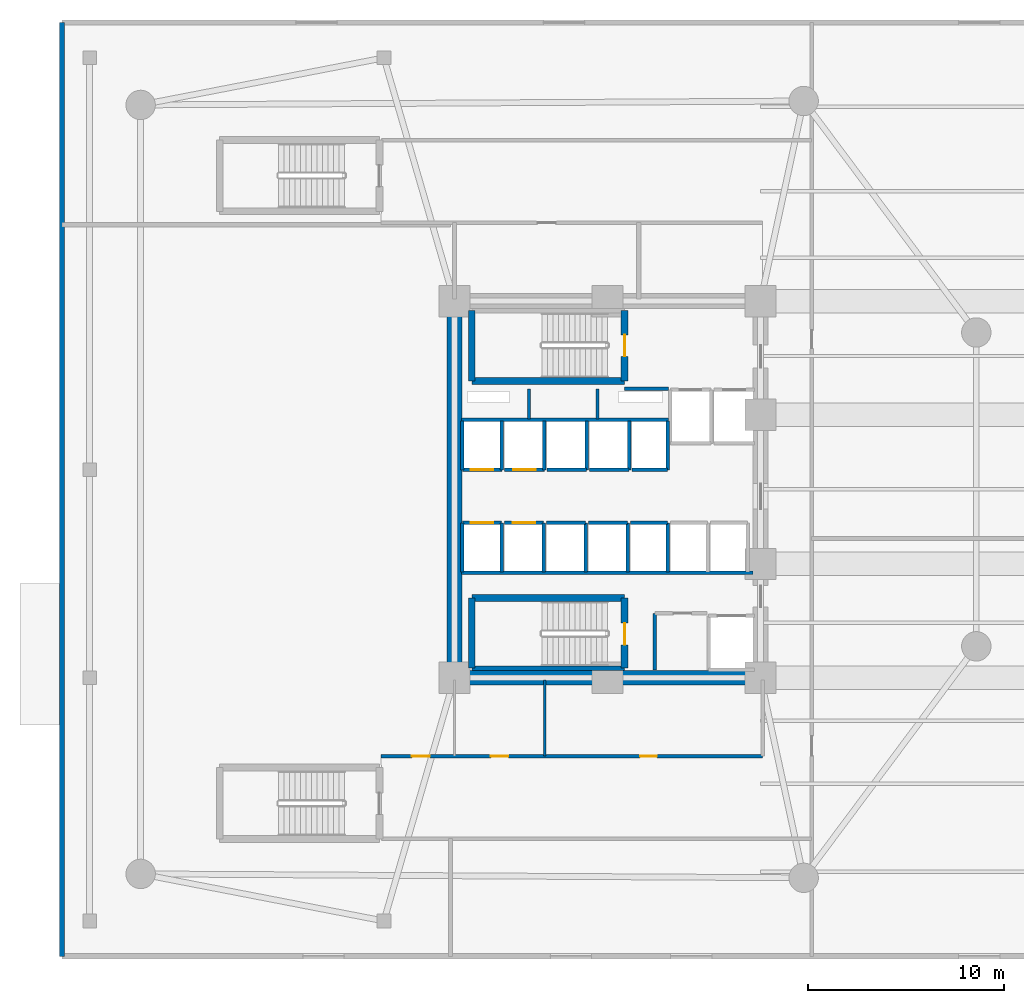
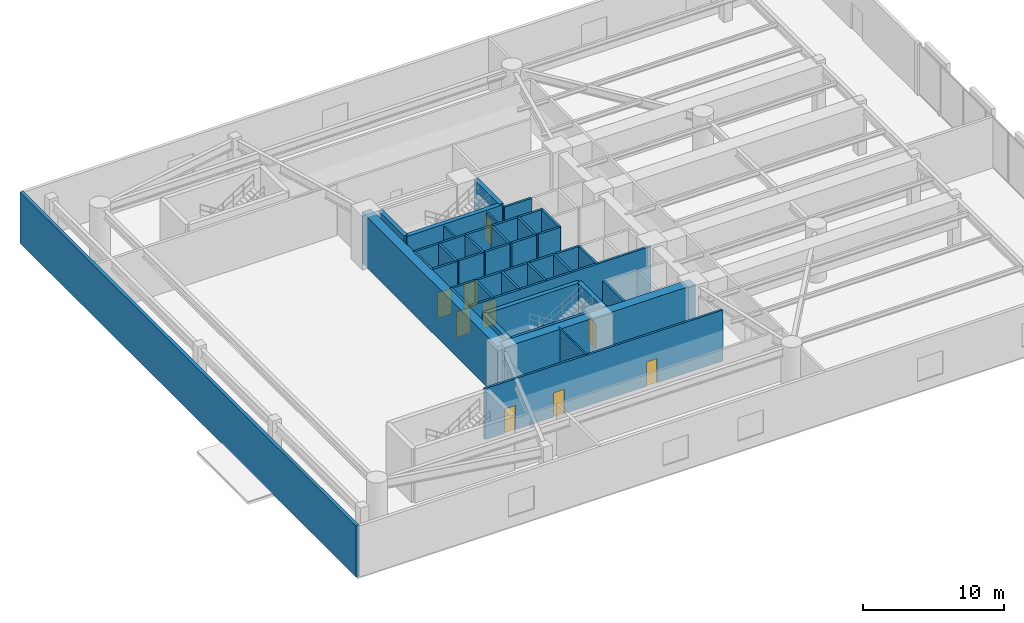
# One storey, part 5 of 11: 40 walls, 9 doors, 9 openings.
"""IFC4 building model written with IfcOpenShell, lengths in metres."""

from ifc_helpers import new_model, si_unit, direction, frame, frame_2d, origin, place, context, subcontext, project, spatial, rectangle, extrude, material, layer, layer_set, type_object, element, fill, save


model = new_model("IFC4")

# Units and contexts
model_context = context("Model", 3, precision=1e-05, world=origin(), true_north=direction((0.0, 1.0)))
body_context = subcontext(model_context, "Body", "Model", "MODEL_VIEW")
ifc_project = project(units=[si_unit("LENGTHUNIT", "METRE"), si_unit("AREAUNIT", "SQUARE_METRE"), si_unit("VOLUMEUNIT", "CUBIC_METRE"), si_unit("PLANEANGLEUNIT", "RADIAN"), si_unit("MASSUNIT", "GRAM", prefix="KILO")], contexts=[model_context])

# Site, building, storey
site_placement = place(None, origin())
site = spatial("IfcSite", under=ifc_project, at=site_placement, CompositionType="ELEMENT")
building_placement = place(site_placement, origin())
building = spatial("IfcBuilding", under=site, at=building_placement, Name="An Khanh Terracotta Commons", CompositionType="ELEMENT")
storey_placement = place(building_placement, frame((0.0, 0.0, 19.35009765625)))
storey = spatial("IfcBuildingStorey", under=building, at=storey_placement, Name="L05", CompositionType="ELEMENT", Elevation=19.35009765625)

# Walls
ifc_material_1 = material(Name="Concrete C70/85", Category="concrete")
ifc_layer_1 = layer(ifc_material_1, 0.75, Name="Concrete C70/85")
ifc_layer_set_1 = layer_set([ifc_layer_1], Name="Concrete C70/85")
wall_type_1 = type_object("IfcWallType", Name="WALL-CORE-750", PredefinedType="SHEAR", material=ifc_layer_set_1)
wall_1_placement = place(storey_placement, frame((21.60009765625, 14.39990234375, 0.0), z_axis=(0.0, 0.0, 1.0), x_axis=(0.0, 1.0, 0.0)))
element("IfcWall", 1, at=wall_1_placement, inside=storey, type_object=wall_type_1, Name="L05 Core Wall CWALL-L05-W", PredefinedType="SHEAR", context=body_context, shape_type="SweptSolid", body=[
    extrude(rectangle(XDim=19.2001953125, YDim=0.75, at=frame_2d((9.60009765625, 0.0))), origin(), (0.0, 0.0, 1.0), 4.409912109375),
])
wall_2_placement = place(storey_placement, frame((37.199951171875, 14.39990234375, 0.0), z_axis=(0.0, 0.0, 1.0), x_axis=(-1.0, 0.0, 0.0)))
element("IfcWall", 2, at=wall_2_placement, inside=storey, type_object=wall_type_1, Name="L05 Core Wall CWALL-L05-S", PredefinedType="SHEAR", context=body_context, shape_type="SweptSolid", body=[
    extrude(rectangle(XDim=15.599853515625, YDim=0.75, at=frame_2d((7.7998046875, 0.0))), origin(), (0.0, 0.0, 1.0), 4.409912109375),
])
ifc_material_2 = material(Name="Fire-Rated Gypsum Board on Steel Stud", Category="steel")
ifc_layer_2 = layer(ifc_material_2, 0.179931640625, Name="Fire-Rated Gypsum Board on Steel Stud")
ifc_layer_set_2 = layer_set([ifc_layer_2], Name="Fire-Rated Gypsum Board on Steel Stud")
wall_type_2 = type_object("IfcWallType", Name="WALL-CORR-180", PredefinedType="PARTITIONING", material=ifc_layer_set_2)
wall_3_placement = place(storey_placement, frame((30.27001953125, 29.1201171875, 0.0), z_axis=(0.0, 0.0, 1.0), x_axis=(1.0, 0.0, 0.0)))
element("IfcWall", 3, at=wall_3_placement, inside=storey, type_object=wall_type_2, Name="L05 Core Wall FFLW-L05-S", PredefinedType="PARTITIONING", context=body_context, shape_type="SweptSolid", body=[
    extrude(rectangle(XDim=2.239990234375, YDim=0.179931640625, at=frame_2d((1.1201171875, 0.0))), origin(), (0.0, 0.0, 1.0), 4.409912109375),
])
wall_4_placement = place(storey_placement, frame((21.949951171875, 27.5400390625, 0.0), z_axis=(0.0, 0.0, 1.0), x_axis=(1.0, 0.0, 0.0)))
element("IfcWall", 4, at=wall_4_placement, inside=storey, type_object=wall_type_2, Name="L05 Core Wall RSRW-L05-S", PredefinedType="PARTITIONING", context=body_context, shape_type="SweptSolid", body=[
    extrude(rectangle(XDim=10.56005859375, YDim=0.179931640625, at=frame_2d((5.280029296875, 0.0))), origin(), (0.0, 0.0, 1.0), 4.409912109375),
])
wall_5_placement = place(storey_placement, frame((21.949951171875, 19.760009765625, 0.0), z_axis=(0.0, 0.0, 1.0), x_axis=(1.0, 0.0, 0.0)))
element("IfcWall", 5, at=wall_5_placement, inside=storey, type_object=wall_type_2, Name="L05 Core Wall SVW-L05-N", PredefinedType="PARTITIONING", context=body_context, shape_type="SweptSolid", body=[
    extrude(rectangle(XDim=14.8701171875, YDim=0.179931640625, at=frame_2d((7.43505859375, 0.0))), origin(), (0.0, 0.0, 1.0), 4.409912109375),
])
wall_6_placement = place(storey_placement, frame((31.820068359375, 14.800048828125, 0.0), z_axis=(0.0, 0.0, 1.0), x_axis=(0.0, 1.0, 0.0)))
element("IfcWall", 6, at=wall_6_placement, inside=storey, type_object=wall_type_2, Name="L05 Core Wall SSVCW-L05-W", PredefinedType="PARTITIONING", context=body_context, shape_type="SweptSolid", body=[
    extrude(rectangle(XDim=2.8798828125, YDim=0.179931640625, at=frame_2d((1.43994140625, 0.0))), origin(), (0.0, 0.0, 1.0), 4.409912109375),
])

# Wall, opening, door
wall_7_placement = place(storey_placement, frame((24.02001953125, 25.0, 0.0), z_axis=(0.0, 0.0, 1.0), x_axis=(-1.0, 0.0, 0.0)))
wall_7 = element("IfcWall", 7, at=wall_7_placement, inside=storey, type_object=wall_type_2, Name="L05 Core Wall LSH-L05-PL-L1-S", PredefinedType="PARTITIONING", context=body_context, shape_type="SweptSolid", body=[
    extrude(rectangle(XDim=2.02001953125, YDim=0.179931640625, at=frame_2d((1.010009765625, 0.0))), origin(), (0.0, 0.0, 1.0), 4.409912109375),
])
opening_1_placement = place(wall_7_placement, frame((0.43505859375, 0.0, 0.0)))
opening_1 = element("IfcOpeningElement", 8, at=opening_1_placement, cuts=wall_7, Name="Opening LD-PL-L1-L05", PredefinedType="OPENING", context=body_context, shape_type="SweptSolid", body=[
    extrude(rectangle(XDim=1.14990234375, YDim=2.199951171875, at=frame_2d((0.574951171875, 1.10009765625))), frame((0.0, 0.099853515625, 0.0), z_axis=(0.0, -1.0, 0.0), x_axis=(1.0, 0.0, 0.0)), (0.0, 0.0, 1.0), 0.199951171875),
])
ifc_material_3 = material(Name="Brushed Stainless Steel Passenger Landing Door", Category="steel")
door_type_1 = type_object("IfcDoorType", Name="DOOR-LD-PAX-1150", OperationType="NOTDEFINED", PredefinedType="DOOR", material=ifc_material_3)
door_1_placement = place(opening_1_placement, origin())
door_1 = element("IfcDoor", 9, at=door_1_placement, inside=storey, type_object=door_type_1, Name="L05 Lift PL-L1 Sliding Landing Door", OperationType="DOUBLE_DOOR_SLIDING", OverallHeight=2.199951171875, OverallWidth=1.14990234375, PredefinedType="DOOR", context=body_context, shape_type="SweptSolid", body=[
    extrude(rectangle(XDim=1.14990234375, YDim=2.199951171875, at=frame_2d((0.574951171875, 1.10009765625))), frame((0.0, 0.02490234375, 0.0), z_axis=(0.0, -1.0, 0.0), x_axis=(1.0, 0.0, 0.0)), (0.0, 0.0, 1.0), 0.050048828125),
])
fill(opening_1, door_1)

# Walls
for number, where, z_axis, x_axis, name in (
    (10, (24.02001953125, 25.0, 0.0), (0.0, 0.0, 1.0), (0.0, 1.0, 0.0), "L05 Core Wall LSH-L05-PL-L1-E"),
    (11, (22.0, 27.5, 0.0), (0.0, 0.0, 1.0), (0.0, -1.0, 0.0), "L05 Core Wall LSH-L05-PL-L1-W"),
):
    element("IfcWall", number, at=place(storey_placement, frame(where, z_axis=z_axis, x_axis=x_axis)), inside=storey, type_object=wall_type_2, Name=name, PredefinedType="PARTITIONING", context=body_context, shape_type="SweptSolid", body=[
        extrude(rectangle(XDim=2.5, YDim=0.179931640625, at=frame_2d((1.25, 0.0))), origin(), (0.0, 0.0, 1.0), 4.409912109375),
    ])

# Wall, opening, door
wall_8_placement = place(storey_placement, frame((26.179931640625, 25.0, 0.0), z_axis=(0.0, 0.0, 1.0), x_axis=(-1.0, 0.0, 0.0)))
wall_8 = element("IfcWall", 12, at=wall_8_placement, inside=storey, type_object=wall_type_2, Name="L05 Core Wall LSH-L05-PL-L2-S", PredefinedType="PARTITIONING", context=body_context, shape_type="SweptSolid", body=[
    extrude(rectangle(XDim=2.02001953125, YDim=0.179931640625, at=frame_2d((1.010009765625, 0.0))), origin(), (0.0, 0.0, 1.0), 4.409912109375),
])
opening_2_placement = place(wall_8_placement, frame((0.43505859375, 0.0, 0.0)))
opening_2 = element("IfcOpeningElement", 13, at=opening_2_placement, cuts=wall_8, Name="Opening LD-PL-L2-L05", PredefinedType="OPENING", context=body_context, shape_type="SweptSolid", body=[
    extrude(rectangle(XDim=1.14990234375, YDim=2.199951171875, at=frame_2d((0.574951171875, 1.10009765625))), frame((0.0, 0.099853515625, 0.0), z_axis=(0.0, -1.0, 0.0), x_axis=(1.0, 0.0, 0.0)), (0.0, 0.0, 1.0), 0.199951171875),
])
door_2_placement = place(opening_2_placement, origin())
door_2 = element("IfcDoor", 14, at=door_2_placement, inside=storey, type_object=door_type_1, Name="L05 Lift PL-L2 Sliding Landing Door", OperationType="DOUBLE_DOOR_SLIDING", OverallHeight=2.199951171875, OverallWidth=1.14990234375, PredefinedType="DOOR", context=body_context, shape_type="SweptSolid", body=[
    extrude(rectangle(XDim=1.14990234375, YDim=2.199951171875, at=frame_2d((0.574951171875, 1.10009765625))), frame((0.0, 0.02490234375, 0.0), z_axis=(0.0, -1.0, 0.0), x_axis=(1.0, 0.0, 0.0)), (0.0, 0.0, 1.0), 0.050048828125),
])
fill(opening_2, door_2)

# Wall
wall_9_placement = place(storey_placement, frame((26.179931640625, 25.0, 0.0), z_axis=(0.0, 0.0, 1.0), x_axis=(0.0, 1.0, 0.0)))
element("IfcWall", 15, at=wall_9_placement, inside=storey, type_object=wall_type_2, Name="L05 Core Wall LSH-L05-PL-L2-E", PredefinedType="PARTITIONING", context=body_context, shape_type="SweptSolid", body=[
    extrude(rectangle(XDim=2.5, YDim=0.179931640625, at=frame_2d((1.25, 0.0))), origin(), (0.0, 0.0, 1.0), 4.409912109375),
])

# Wall, opening, door
wall_10_placement = place(storey_placement, frame((22.0, 22.300048828125, 0.0), z_axis=(0.0, 0.0, 1.0), x_axis=(1.0, 0.0, 0.0)))
wall_10 = element("IfcWall", 16, at=wall_10_placement, inside=storey, type_object=wall_type_2, Name="L05 Core Wall LSH-L05-PL-L3-N", PredefinedType="PARTITIONING", context=body_context, shape_type="SweptSolid", body=[
    extrude(rectangle(XDim=2.0, YDim=0.179931640625, at=frame_2d((1.0, 0.0))), origin(), (0.0, 0.0, 1.0), 4.409912109375),
])
opening_3_placement = place(wall_10_placement, frame((0.425048828125, 0.0, 0.0)))
opening_3 = element("IfcOpeningElement", 17, at=opening_3_placement, cuts=wall_10, Name="Opening LD-PL-L3-L05", PredefinedType="OPENING", context=body_context, shape_type="SweptSolid", body=[
    extrude(rectangle(XDim=1.14990234375, YDim=2.199951171875, at=frame_2d((0.574951171875, 1.10009765625))), frame((0.0, 0.099853515625, 0.0), z_axis=(0.0, -1.0, 0.0), x_axis=(1.0, 0.0, 0.0)), (0.0, 0.0, 1.0), 0.199951171875),
])
door_3_placement = place(opening_3_placement, origin())
door_3 = element("IfcDoor", 18, at=door_3_placement, inside=storey, type_object=door_type_1, Name="L05 Lift PL-L3 Sliding Landing Door", OperationType="DOUBLE_DOOR_SLIDING", OverallHeight=2.199951171875, OverallWidth=1.14990234375, PredefinedType="DOOR", context=body_context, shape_type="SweptSolid", body=[
    extrude(rectangle(XDim=1.14990234375, YDim=2.199951171875, at=frame_2d((0.574951171875, 1.10009765625))), frame((0.0, 0.02490234375, 0.0), z_axis=(0.0, -1.0, 0.0), x_axis=(1.0, 0.0, 0.0)), (0.0, 0.0, 1.0), 0.050048828125),
])
fill(opening_3, door_3)

# Walls
for number, where, z_axis, x_axis, name in (
    (19, (24.0, 19.800048828125, 0.0), (0.0, 0.0, 1.0), (0.0, 1.0, 0.0), "L05 Core Wall LSH-L05-PL-L3-E"),
    (20, (22.0, 22.300048828125, 0.0), (0.0, 0.0, 1.0), (0.0, -1.0, 0.0), "L05 Core Wall LSH-L05-PL-L3-W"),
):
    element("IfcWall", number, at=place(storey_placement, frame(where, z_axis=z_axis, x_axis=x_axis)), inside=storey, type_object=wall_type_2, Name=name, PredefinedType="PARTITIONING", context=body_context, shape_type="SweptSolid", body=[
        extrude(rectangle(XDim=2.5, YDim=0.179931640625, at=frame_2d((1.25, 0.0))), origin(), (0.0, 0.0, 1.0), 4.409912109375),
    ])

# Wall, opening, door
wall_11_placement = place(storey_placement, frame((24.139892578125, 22.300048828125, 0.0), z_axis=(0.0, 0.0, 1.0), x_axis=(1.0, 0.0, 0.0)))
wall_11 = element("IfcWall", 21, at=wall_11_placement, inside=storey, type_object=wall_type_2, Name="L05 Core Wall LSH-L05-PL-L4-N", PredefinedType="PARTITIONING", context=body_context, shape_type="SweptSolid", body=[
    extrude(rectangle(XDim=2.0, YDim=0.179931640625, at=frame_2d((1.0, 0.0))), origin(), (0.0, 0.0, 1.0), 4.409912109375),
])
opening_4_placement = place(wall_11_placement, frame((0.425048828125, 0.0, 0.0)))
opening_4 = element("IfcOpeningElement", 22, at=opening_4_placement, cuts=wall_11, Name="Opening LD-PL-L4-L05", PredefinedType="OPENING", context=body_context, shape_type="SweptSolid", body=[
    extrude(rectangle(XDim=1.14990234375, YDim=2.199951171875, at=frame_2d((0.574951171875, 1.10009765625))), frame((0.0, 0.099853515625, 0.0), z_axis=(0.0, -1.0, 0.0), x_axis=(1.0, 0.0, 0.0)), (0.0, 0.0, 1.0), 0.199951171875),
])
door_4_placement = place(opening_4_placement, origin())
door_4 = element("IfcDoor", 23, at=door_4_placement, inside=storey, type_object=door_type_1, Name="L05 Lift PL-L4 Sliding Landing Door", OperationType="DOUBLE_DOOR_SLIDING", OverallHeight=2.199951171875, OverallWidth=1.14990234375, PredefinedType="DOOR", context=body_context, shape_type="SweptSolid", body=[
    extrude(rectangle(XDim=1.14990234375, YDim=2.199951171875, at=frame_2d((0.574951171875, 1.10009765625))), frame((0.0, 0.02490234375, 0.0), z_axis=(0.0, -1.0, 0.0), x_axis=(1.0, 0.0, 0.0)), (0.0, 0.0, 1.0), 0.050048828125),
])
fill(opening_4, door_4)

# Walls
wall_12_placement = place(storey_placement, frame((26.139892578125, 19.800048828125, 0.0), z_axis=(0.0, 0.0, 1.0), x_axis=(0.0, 1.0, 0.0)))
element("IfcWall", 24, at=wall_12_placement, inside=storey, type_object=wall_type_2, Name="L05 Core Wall LSH-L05-PL-L4-E", PredefinedType="PARTITIONING", context=body_context, shape_type="SweptSolid", body=[
    extrude(rectangle(XDim=2.5, YDim=0.179931640625, at=frame_2d((1.25, 0.0))), origin(), (0.0, 0.0, 1.0), 4.409912109375),
])
wall_13_placement = place(storey_placement, frame((28.340087890625, 25.0, 0.0), z_axis=(0.0, 0.0, 1.0), x_axis=(-1.0, 0.0, 0.0)))
element("IfcWall", 25, at=wall_13_placement, inside=storey, type_object=wall_type_2, Name="L05 Core Wall LSH-L05-PL-M1-S", PredefinedType="PARTITIONING", context=body_context, shape_type="SweptSolid", body=[
    extrude(rectangle(XDim=2.02001953125, YDim=0.179931640625, at=frame_2d((1.010009765625, 0.0))), origin(), (0.0, 0.0, 1.0), 4.409912109375),
])
wall_14_placement = place(storey_placement, frame((28.340087890625, 25.0, 0.0), z_axis=(0.0, 0.0, 1.0), x_axis=(0.0, 1.0, 0.0)))
element("IfcWall", 26, at=wall_14_placement, inside=storey, type_object=wall_type_2, Name="L05 Core Wall LSH-L05-PL-M1-E", PredefinedType="PARTITIONING", context=body_context, shape_type="SweptSolid", body=[
    extrude(rectangle(XDim=2.5, YDim=0.179931640625, at=frame_2d((1.25, 0.0))), origin(), (0.0, 0.0, 1.0), 4.409912109375),
])
wall_15_placement = place(storey_placement, frame((30.5, 25.0, 0.0), z_axis=(0.0, 0.0, 1.0), x_axis=(-1.0, 0.0, 0.0)))
element("IfcWall", 27, at=wall_15_placement, inside=storey, type_object=wall_type_2, Name="L05 Core Wall LSH-L05-PL-M2-S", PredefinedType="PARTITIONING", context=body_context, shape_type="SweptSolid", body=[
    extrude(rectangle(XDim=2.02001953125, YDim=0.179931640625, at=frame_2d((1.010009765625, 0.0))), origin(), (0.0, 0.0, 1.0), 4.409912109375),
])
wall_16_placement = place(storey_placement, frame((30.5, 25.0, 0.0), z_axis=(0.0, 0.0, 1.0), x_axis=(0.0, 1.0, 0.0)))
element("IfcWall", 28, at=wall_16_placement, inside=storey, type_object=wall_type_2, Name="L05 Core Wall LSH-L05-PL-M2-E", PredefinedType="PARTITIONING", context=body_context, shape_type="SweptSolid", body=[
    extrude(rectangle(XDim=2.5, YDim=0.179931640625, at=frame_2d((1.25, 0.0))), origin(), (0.0, 0.0, 1.0), 4.409912109375),
])
wall_17_placement = place(storey_placement, frame((26.280029296875, 22.300048828125, 0.0), z_axis=(0.0, 0.0, 1.0), x_axis=(1.0, 0.0, 0.0)))
element("IfcWall", 29, at=wall_17_placement, inside=storey, type_object=wall_type_2, Name="L05 Core Wall LSH-L05-PL-M3-N", PredefinedType="PARTITIONING", context=body_context, shape_type="SweptSolid", body=[
    extrude(rectangle(XDim=2.0, YDim=0.179931640625, at=frame_2d((1.0, 0.0))), origin(), (0.0, 0.0, 1.0), 4.409912109375),
])
wall_18_placement = place(storey_placement, frame((28.280029296875, 19.800048828125, 0.0), z_axis=(0.0, 0.0, 1.0), x_axis=(0.0, 1.0, 0.0)))
element("IfcWall", 30, at=wall_18_placement, inside=storey, type_object=wall_type_2, Name="L05 Core Wall LSH-L05-PL-M3-E", PredefinedType="PARTITIONING", context=body_context, shape_type="SweptSolid", body=[
    extrude(rectangle(XDim=2.5, YDim=0.179931640625, at=frame_2d((1.25, 0.0))), origin(), (0.0, 0.0, 1.0), 4.409912109375),
])
wall_19_placement = place(storey_placement, frame((28.419921875, 22.300048828125, 0.0), z_axis=(0.0, 0.0, 1.0), x_axis=(1.0, 0.0, 0.0)))
element("IfcWall", 31, at=wall_19_placement, inside=storey, type_object=wall_type_2, Name="L05 Core Wall LSH-L05-PL-M4-N", PredefinedType="PARTITIONING", context=body_context, shape_type="SweptSolid", body=[
    extrude(rectangle(XDim=2.0, YDim=0.179931640625, at=frame_2d((1.0, 0.0))), origin(), (0.0, 0.0, 1.0), 4.409912109375),
])
wall_20_placement = place(storey_placement, frame((30.419921875, 19.800048828125, 0.0), z_axis=(0.0, 0.0, 1.0), x_axis=(0.0, 1.0, 0.0)))
element("IfcWall", 32, at=wall_20_placement, inside=storey, type_object=wall_type_2, Name="L05 Core Wall LSH-L05-PL-M4-E", PredefinedType="PARTITIONING", context=body_context, shape_type="SweptSolid", body=[
    extrude(rectangle(XDim=2.5, YDim=0.179931640625, at=frame_2d((1.25, 0.0))), origin(), (0.0, 0.0, 1.0), 4.409912109375),
])
wall_21_placement = place(storey_placement, frame((32.4599609375, 25.0, 0.0), z_axis=(0.0, 0.0, 1.0), x_axis=(-1.0, 0.0, 0.0)))
element("IfcWall", 33, at=wall_21_placement, inside=storey, type_object=wall_type_2, Name="L05 Core Wall LSH-L05-PL-H1-S", PredefinedType="PARTITIONING", context=body_context, shape_type="SweptSolid", body=[
    extrude(rectangle(XDim=1.820068359375, YDim=0.179931640625, at=frame_2d((0.91015625, 0.0))), origin(), (0.0, 0.0, 1.0), 4.409912109375),
])
wall_22_placement = place(storey_placement, frame((32.4599609375, 25.0, 0.0), z_axis=(0.0, 0.0, 1.0), x_axis=(0.0, 1.0, 0.0)))
element("IfcWall", 34, at=wall_22_placement, inside=storey, type_object=wall_type_2, Name="L05 Core Wall LSH-L05-PL-H1-E", PredefinedType="PARTITIONING", context=body_context, shape_type="SweptSolid", body=[
    extrude(rectangle(XDim=2.5, YDim=0.179931640625, at=frame_2d((1.25, 0.0))), origin(), (0.0, 0.0, 1.0), 4.409912109375),
])
wall_23_placement = place(storey_placement, frame((30.56005859375, 22.300048828125, 0.0), z_axis=(0.0, 0.0, 1.0), x_axis=(1.0, 0.0, 0.0)))
element("IfcWall", 35, at=wall_23_placement, inside=storey, type_object=wall_type_2, Name="L05 Core Wall LSH-L05-PL-H2-N", PredefinedType="PARTITIONING", context=body_context, shape_type="SweptSolid", body=[
    extrude(rectangle(XDim=1.89990234375, YDim=0.179931640625, at=frame_2d((0.949951171875, 0.0))), origin(), (0.0, 0.0, 1.0), 4.409912109375),
])
wall_24_placement = place(storey_placement, frame((32.4599609375, 19.800048828125, 0.0), z_axis=(0.0, 0.0, 1.0), x_axis=(0.0, 1.0, 0.0)))
element("IfcWall", 36, at=wall_24_placement, inside=storey, type_object=wall_type_2, Name="L05 Core Wall LSH-L05-PL-H2-E", PredefinedType="PARTITIONING", context=body_context, shape_type="SweptSolid", body=[
    extrude(rectangle(XDim=2.5, YDim=0.179931640625, at=frame_2d((1.25, 0.0))), origin(), (0.0, 0.0, 1.0), 4.409912109375),
])

# Wall, openings, doors
wall_25_placement = place(storey_placement, frame((17.85009765625, 10.39990234375, 0.0), z_axis=(0.0, 0.0, 1.0), x_axis=(1.0, 0.0, 0.0)))
wall_25 = element("IfcWall", 37, at=wall_25_placement, inside=storey, type_object=wall_type_2, Name="L05 Interior Partition IW-L05-E002", PredefinedType="PARTITIONING", context=body_context, shape_type="SweptSolid", body=[
    extrude(rectangle(XDim=19.449951171875, YDim=0.179931640625, at=frame_2d((9.72509765625, 0.0))), origin(), (0.0, 0.0, 1.0), 4.409912109375),
])
opening_5_placement = place(wall_25_placement, frame((1.574951171875, 0.0, 0.0)))
opening_5 = element("IfcOpeningElement", 38, at=opening_5_placement, cuts=wall_25, Name="Opening D-RM", PredefinedType="OPENING", context=body_context, shape_type="SweptSolid", body=[
    extrude(rectangle(XDim=0.919921875, YDim=2.10009765625, at=frame_2d((0.4599609375, 1.050048828125))), frame((0.0, 0.099853515625, 0.0), z_axis=(0.0, -1.0, 0.0), x_axis=(1.0, 0.0, 0.0)), (0.0, 0.0, 1.0), 0.199951171875),
])
opening_6_placement = place(wall_25_placement, frame((5.60009765625, 0.0, 0.0)))
opening_6 = element("IfcOpeningElement", 39, at=opening_6_placement, cuts=wall_25, Name="Opening D-WC", PredefinedType="OPENING", context=body_context, shape_type="SweptSolid", body=[
    extrude(rectangle(XDim=0.89990234375, YDim=2.10009765625, at=frame_2d((0.449951171875, 1.050048828125))), frame((0.0, 0.099853515625, 0.0), z_axis=(0.0, -1.0, 0.0), x_axis=(1.0, 0.0, 0.0)), (0.0, 0.0, 1.0), 0.199951171875),
])
opening_7_placement = place(wall_25_placement, frame((13.2099609375, 0.0, 0.0)))
opening_7 = element("IfcOpeningElement", 40, at=opening_7_placement, cuts=wall_25, Name="Opening D-ENS", PredefinedType="OPENING", context=body_context, shape_type="SweptSolid", body=[
    extrude(rectangle(XDim=0.860107421875, YDim=2.10009765625, at=frame_2d((0.43017578125, 1.050048828125))), frame((0.0, 0.099853515625, 0.0), z_axis=(0.0, -1.0, 0.0), x_axis=(1.0, 0.0, 0.0)), (0.0, 0.0, 1.0), 0.199951171875),
])
ifc_material_4 = material(Name="Moisture-Resistant Hardwood Timber Leaf", Category="wood")
door_type_2 = type_object("IfcDoorType", Name="DOOR-BATH-860", OperationType="NOTDEFINED", PredefinedType="DOOR", material=ifc_material_4)
door_5_placement = place(opening_7_placement, origin())
door_5 = element("IfcDoor", 41, at=door_5_placement, inside=storey, type_object=door_type_2, Name="L05 WCB Podium Public Washroom Block Door", OperationType="SINGLE_SWING_LEFT", OverallHeight=2.10009765625, OverallWidth=0.860107421875, PredefinedType="DOOR", context=body_context, shape_type="SweptSolid", body=[
    extrude(rectangle(XDim=0.860107421875, YDim=2.10009765625, at=frame_2d((0.43017578125, 1.050048828125))), frame((0.0, 0.02490234375, 0.0), z_axis=(0.0, -1.0, 0.0), x_axis=(1.0, 0.0, 0.0)), (0.0, 0.0, 1.0), 0.050048828125),
])
fill(opening_7, door_5)
ifc_material_5 = material(Name="Engineered Hardwood Timber Leaf", Category="wood")
door_type_3 = type_object("IfcDoorType", Name="DOOR-INT-920", OperationType="NOTDEFINED", PredefinedType="DOOR", material=ifc_material_5)
door_6_placement = place(opening_5_placement, origin())
door_6 = element("IfcDoor", 42, at=door_6_placement, inside=storey, type_object=door_type_3, Name="L05 GYM Student Fitness Gymnasium Door", OperationType="SINGLE_SWING_LEFT", OverallHeight=2.10009765625, OverallWidth=0.919921875, PredefinedType="DOOR", context=body_context, shape_type="SweptSolid", body=[
    extrude(rectangle(XDim=0.919921875, YDim=2.10009765625, at=frame_2d((0.4599609375, 1.050048828125))), frame((0.0, 0.02490234375, 0.0), z_axis=(0.0, -1.0, 0.0), x_axis=(1.0, 0.0, 0.0)), (0.0, 0.0, 1.0), 0.050048828125),
])
fill(opening_5, door_6)
ifc_material_6 = material(Name="Laminate Moisture-Resistant Timber Leaf", Category="wood")
door_type_4 = type_object("IfcDoorType", Name="DOOR-WC-900", OperationType="NOTDEFINED", PredefinedType="DOOR", material=ifc_material_6)
door_7_placement = place(opening_6_placement, origin())
door_7 = element("IfcDoor", 43, at=door_7_placement, inside=storey, type_object=door_type_4, Name="L05 AWC Public Accessible WC Door", OperationType="SINGLE_SWING_RIGHT", OverallHeight=2.10009765625, OverallWidth=0.89990234375, PredefinedType="DOOR", context=body_context, shape_type="SweptSolid", body=[
    extrude(rectangle(XDim=0.89990234375, YDim=2.10009765625, at=frame_2d((0.449951171875, 1.050048828125))), frame((0.0, 0.02490234375, 0.0), z_axis=(0.0, -1.0, 0.0), x_axis=(1.0, 0.0, 0.0)), (0.0, 0.0, 1.0), 0.050048828125),
])
fill(opening_6, door_7)

# Walls
ifc_material_7 = material(Name="Acoustic Gypsum Board Partition")
ifc_layer_3 = layer(ifc_material_7, 0.14990234375, Name="Acoustic Gypsum Board Partition")
ifc_layer_set_3 = layer_set([ifc_layer_3], Name="Acoustic Gypsum Board Partition")
wall_type_3 = type_object("IfcWallType", Name="WALL-PART-150", PredefinedType="PARTITIONING", material=ifc_layer_set_3)
for number, where, z_axis, x_axis, name in (
    (44, (25.39990234375, 27.60009765625, 0.0), (0.0, 0.0, 1.0), (0.0, 1.0, 0.0), "L05 Core Wall RSRW-L05-D1"),
    (45, (28.89990234375, 27.60009765625, 0.0), (0.0, 0.0, 1.0), (0.0, 1.0, 0.0), "L05 Core Wall RSRW-L05-D2"),
):
    element("IfcWall", number, at=place(storey_placement, frame(where, z_axis=z_axis, x_axis=x_axis)), inside=storey, type_object=wall_type_3, Name=name, PredefinedType="PARTITIONING", context=body_context, shape_type="SweptSolid", body=[
        extrude(rectangle(XDim=1.52001953125, YDim=0.14990234375, at=frame_2d((0.760009765625, 0.0))), origin(), (0.0, 0.0, 1.0), 4.409912109375),
    ])
ifc_material_8 = material(Name="Acoustic Double-Stud Gypsum and Mineral Wool")
ifc_layer_4 = layer(ifc_material_8, 0.219970703125, Name="Acoustic Double-Stud Gypsum and Mineral Wool")
ifc_layer_set_4 = layer_set([ifc_layer_4], Name="Acoustic Double-Stud Gypsum and Mineral Wool")
wall_type_4 = type_object("IfcWallType", Name="WALL-PARTY-220", PredefinedType="PARTITIONING", material=ifc_layer_set_4)
wall_26_placement = place(storey_placement, frame((22.47998046875, 14.889892578125, 0.0), z_axis=(0.0, 0.0, 1.0), x_axis=(1.0, 0.0, 0.0)))
element("IfcWall", 46, at=wall_26_placement, inside=storey, type_object=wall_type_4, Name="L05 Core Wall STW-L05-S-S", PredefinedType="PARTITIONING", context=body_context, shape_type="SweptSolid", body=[
    extrude(rectangle(XDim=7.7900390625, YDim=0.219970703125, at=frame_2d((3.89501953125, 0.0))), origin(), (0.0, 0.0, 1.0), 4.409912109375),
])
ifc_material_9 = material(Name="Concrete C40/50", Category="concrete")
ifc_layer_5 = layer(ifc_material_9, 0.260009765625, Name="Concrete C40/50")
ifc_layer_set_5 = layer_set([ifc_layer_5], Name="Concrete C40/50")
wall_type_5 = type_object("IfcWallType", Name="WALL-POD-260", PredefinedType="SOLIDWALL", material=ifc_layer_set_5)
wall_27_placement = place(storey_placement, frame((1.60009765625, 0.199951171875, 0.0), z_axis=(0.0, 0.0, 1.0), x_axis=(0.0, 1.0, 0.0)))
element("IfcWall", 47, at=wall_27_placement, inside=storey, type_object=wall_type_5, Name="L05 West Boulevard Wall", PredefinedType="SOLIDWALL", context=body_context, shape_type="SweptSolid", body=[
    extrude(rectangle(XDim=47.60009765625, YDim=0.260009765625, at=frame_2d((23.800048828125, 0.0))), origin(), (0.0, 0.0, 1.0), 4.409912109375),
])
ifc_material_10 = material(Name="Concrete C50/60", Category="concrete")
ifc_layer_6 = layer(ifc_material_10, 0.35009765625, Name="Concrete C50/60")
ifc_layer_set_6 = layer_set([ifc_layer_6], Name="Concrete C50/60")
wall_type_6 = type_object("IfcWallType", Name="WALL-SHAFT-350", PredefinedType="SOLIDWALL", material=ifc_layer_set_6)
wall_28_placement = place(storey_placement, frame((22.47998046875, 29.530029296875, 0.0), z_axis=(0.0, 0.0, 1.0), x_axis=(1.0, 0.0, 0.0)))
element("IfcWall", 48, at=wall_28_placement, inside=storey, type_object=wall_type_6, Name="L05 Core Wall STW-L05-N-S", PredefinedType="SOLIDWALL", context=body_context, shape_type="SweptSolid", body=[
    extrude(rectangle(XDim=7.7900390625, YDim=0.35009765625, at=frame_2d((3.89501953125, 0.0))), origin(), (0.0, 0.0, 1.0), 4.409912109375),
])
wall_29_placement = place(storey_placement, frame((22.47998046875, 29.530029296875, 0.0), z_axis=(0.0, 0.0, 1.0), x_axis=(0.0, 1.0, 0.0)))
element("IfcWall", 49, at=wall_29_placement, inside=storey, type_object=wall_type_6, Name="L05 Core Wall STW-L05-N-W", PredefinedType="SOLIDWALL", context=body_context, shape_type="SweptSolid", body=[
    extrude(rectangle(XDim=3.580078125, YDim=0.35009765625, at=frame_2d((1.7900390625, 0.0))), origin(), (0.0, 0.0, 1.0), 4.409912109375),
])

# Wall, opening, door
wall_30_placement = place(storey_placement, frame((30.27001953125, 29.530029296875, 0.0), z_axis=(0.0, 0.0, 1.0), x_axis=(0.0, 1.0, 0.0)))
wall_30 = element("IfcWall", 50, at=wall_30_placement, inside=storey, type_object=wall_type_6, Name="L05 Core Wall STW-L05-N-E", PredefinedType="SOLIDWALL", context=body_context, shape_type="SweptSolid", body=[
    extrude(rectangle(XDim=3.580078125, YDim=0.35009765625, at=frame_2d((1.7900390625, 0.0))), origin(), (0.0, 0.0, 1.0), 4.409912109375),
])
opening_8_placement = place(wall_30_placement, frame((1.25, 0.0, 0.0)))
opening_8 = element("IfcOpeningElement", 51, at=opening_8_placement, cuts=wall_30, Name="Opening D-ST", PredefinedType="OPENING", context=body_context, shape_type="SweptSolid", body=[
    extrude(rectangle(XDim=1.10009765625, YDim=2.14990234375, at=frame_2d((0.550048828125, 1.074951171875))), frame((0.0, 0.18505859375, 0.0), z_axis=(0.0, -1.0, 0.0), x_axis=(1.0, 0.0, 0.0)), (0.0, 0.0, 1.0), 0.3701171875),
])
ifc_material_11 = material(Name="Fire-Rated Steel Leaf and Frame", Category="steel")
door_type_5 = type_object("IfcDoorType", Name="DOOR-STAIR-1100", OperationType="NOTDEFINED", PredefinedType="DOOR", material=ifc_material_11)
door_8_placement = place(opening_8_placement, origin())
door_8 = element("IfcDoor", 52, at=door_8_placement, inside=storey, type_object=door_type_5, Name="L05 Stair ST-01 Fire Door", OperationType="SINGLE_SWING_RIGHT", OverallHeight=2.14990234375, OverallWidth=1.10009765625, PredefinedType="DOOR", context=body_context, shape_type="SweptSolid", body=[
    extrude(rectangle(XDim=1.10009765625, YDim=2.14990234375, at=frame_2d((0.550048828125, 1.074951171875))), frame((0.0, 0.02490234375, 0.0), z_axis=(0.0, -1.0, 0.0), x_axis=(1.0, 0.0, 0.0)), (0.0, 0.0, 1.0), 0.050048828125),
])
fill(opening_8, door_8)

# Walls
wall_31_placement = place(storey_placement, frame((22.47998046875, 18.469970703125, 0.0), z_axis=(0.0, 0.0, 1.0), x_axis=(1.0, 0.0, 0.0)))
element("IfcWall", 53, at=wall_31_placement, inside=storey, type_object=wall_type_6, Name="L05 Core Wall STW-L05-S-N", PredefinedType="SOLIDWALL", context=body_context, shape_type="SweptSolid", body=[
    extrude(rectangle(XDim=7.7900390625, YDim=0.35009765625, at=frame_2d((3.89501953125, 0.0))), origin(), (0.0, 0.0, 1.0), 4.409912109375),
])
wall_32_placement = place(storey_placement, frame((22.47998046875, 14.889892578125, 0.0), z_axis=(0.0, 0.0, 1.0), x_axis=(0.0, 1.0, 0.0)))
element("IfcWall", 54, at=wall_32_placement, inside=storey, type_object=wall_type_6, Name="L05 Core Wall STW-L05-S-W", PredefinedType="SOLIDWALL", context=body_context, shape_type="SweptSolid", body=[
    extrude(rectangle(XDim=3.580078125, YDim=0.35009765625, at=frame_2d((1.7900390625, 0.0))), origin(), (0.0, 0.0, 1.0), 4.409912109375),
])

# Wall, opening, door
wall_33_placement = place(storey_placement, frame((30.27001953125, 14.889892578125, 0.0), z_axis=(0.0, 0.0, 1.0), x_axis=(0.0, 1.0, 0.0)))
wall_33 = element("IfcWall", 55, at=wall_33_placement, inside=storey, type_object=wall_type_6, Name="L05 Core Wall STW-L05-S-E", PredefinedType="SOLIDWALL", context=body_context, shape_type="SweptSolid", body=[
    extrude(rectangle(XDim=3.580078125, YDim=0.35009765625, at=frame_2d((1.7900390625, 0.0))), origin(), (0.0, 0.0, 1.0), 4.409912109375),
])
opening_9_placement = place(wall_33_placement, frame((1.18994140625, 0.0, 0.0)))
opening_9 = element("IfcOpeningElement", 56, at=opening_9_placement, cuts=wall_33, Name="Opening D-ST", PredefinedType="OPENING", context=body_context, shape_type="SweptSolid", body=[
    extrude(rectangle(XDim=1.10009765625, YDim=2.14990234375, at=frame_2d((0.550048828125, 1.074951171875))), frame((0.0, 0.18505859375, 0.0), z_axis=(0.0, -1.0, 0.0), x_axis=(1.0, 0.0, 0.0)), (0.0, 0.0, 1.0), 0.3701171875),
])
door_9_placement = place(opening_9_placement, origin())
door_9 = element("IfcDoor", 57, at=door_9_placement, inside=storey, type_object=door_type_5, Name="L05 Stair ST-02 Fire Door", OperationType="SINGLE_SWING_LEFT", OverallHeight=2.14990234375, OverallWidth=1.10009765625, PredefinedType="DOOR", context=body_context, shape_type="SweptSolid", body=[
    extrude(rectangle(XDim=1.10009765625, YDim=2.14990234375, at=frame_2d((0.550048828125, 1.074951171875))), frame((0.0, 0.02490234375, 0.0), z_axis=(0.0, -1.0, 0.0), x_axis=(1.0, 0.0, 0.0)), (0.0, 0.0, 1.0), 0.050048828125),
])
fill(opening_9, door_9)

# Wall
ifc_material_12 = material(Name="Moisture-Resistant Cement Board Partition")
ifc_layer_7 = layer(ifc_material_12, 0.1201171875, Name="Moisture-Resistant Cement Board Partition")
ifc_layer_set_7 = layer_set([ifc_layer_7], Name="Moisture-Resistant Cement Board Partition")
wall_type_7 = type_object("IfcWallType", Name="WALL-WET-120", PredefinedType="PARTITIONING", material=ifc_layer_set_7)
wall_34_placement = place(storey_placement, frame((26.199951171875, 10.39990234375, 0.0), z_axis=(0.0, 0.0, 1.0), x_axis=(0.0, 1.0, 0.0)))
element("IfcWall", 58, at=wall_34_placement, inside=storey, type_object=wall_type_7, Name="L05 Interior Partition IW-L05-E010", PredefinedType="PARTITIONING", context=body_context, shape_type="SweptSolid", body=[
    extrude(rectangle(XDim=3.880126953125, YDim=0.1201171875, at=frame_2d((1.93994140625, 0.0))), origin(), (0.0, 0.0, 1.0), 4.409912109375),
])

save(model, "model.ifc")
